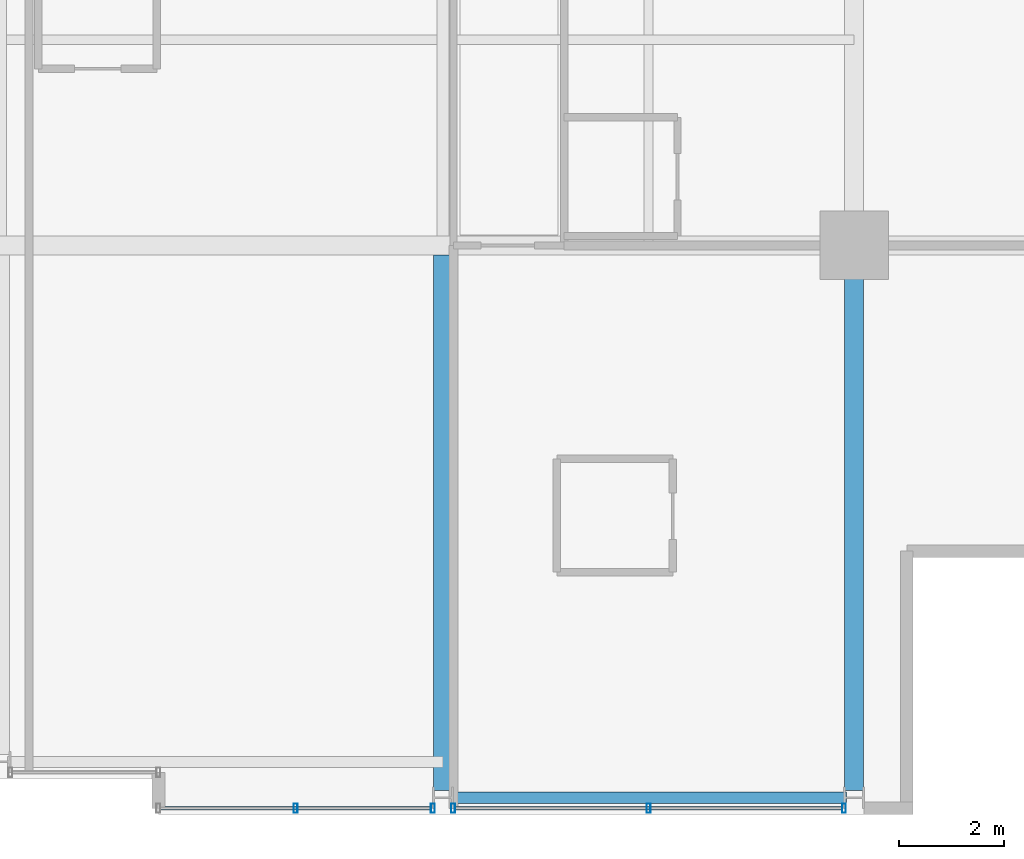
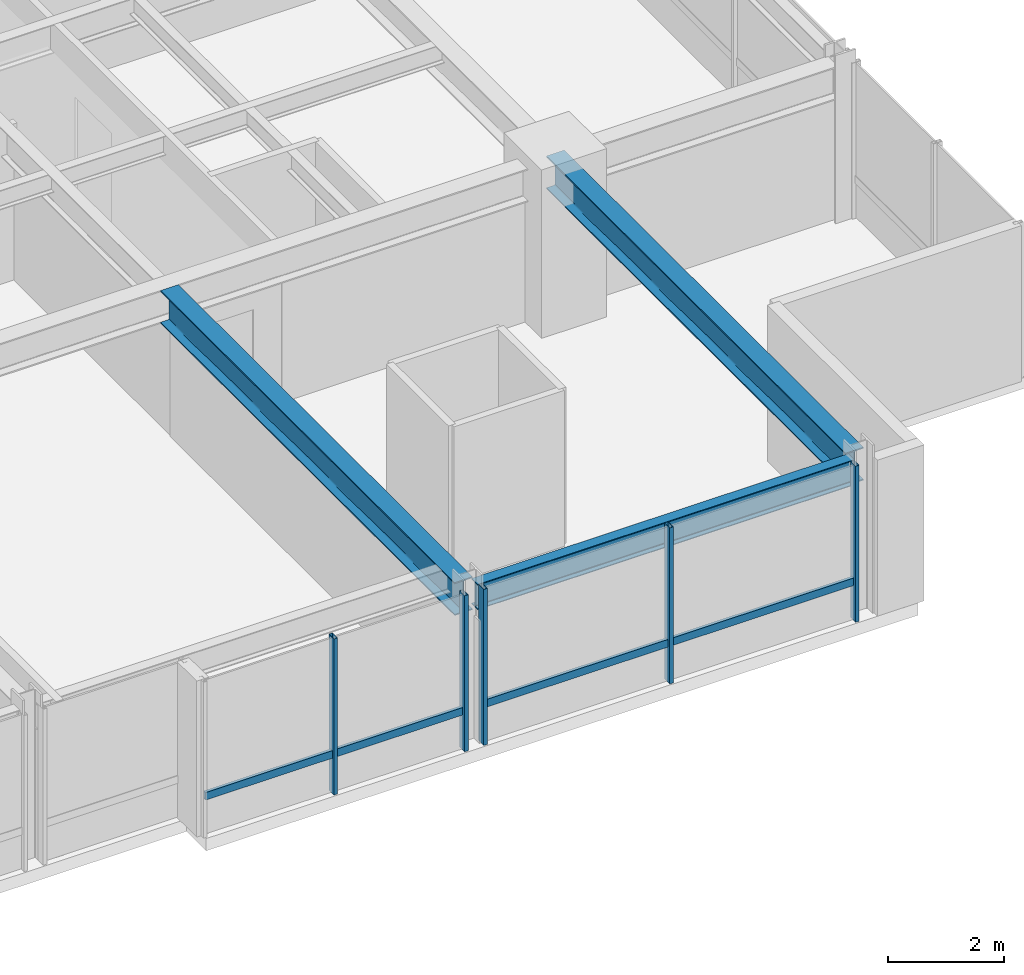
# One storey, part 11 of 31: 7 members, 3 beams, 2 elements without a shape of their own.
"""IFC4 building model written with IfcOpenShell, lengths in metres."""

from ifc_helpers import new_model, si_unit, direction, frame, origin, origin_2d, place, context, subcontext, project, spatial, hollow_rectangle, i_section, extrude, material, layer, layer_set, material_profile, profile_set, type_object, element, aggregate, save


model = new_model("IFC4")

# Units and contexts
model_context = context("Model", 3, precision=1e-05, world=origin(), true_north=direction((0.0, 1.0)))
body_context = subcontext(model_context, "Body", "Model", "MODEL_VIEW")
ifc_project = project(units=[si_unit("LENGTHUNIT", "METRE"), si_unit("AREAUNIT", "SQUARE_METRE"), si_unit("VOLUMEUNIT", "CUBIC_METRE"), si_unit("PLANEANGLEUNIT", "RADIAN"), si_unit("MASSUNIT", "GRAM", prefix="KILO")], contexts=[model_context])

# Site, building, storey
site_placement = place(None, origin())
site = spatial("IfcSite", under=ifc_project, at=site_placement, CompositionType="ELEMENT")
building_placement = place(site_placement, origin())
building = spatial("IfcBuilding", under=site, at=building_placement, Name="Drelvath Grand Hotel", CompositionType="ELEMENT")
storey_placement = place(building_placement, frame((0.0, 0.0, 185.89990234375)))
storey = spatial("IfcBuildingStorey", under=building, at=storey_placement, Name="L48", CompositionType="ELEMENT", Elevation=185.89990234375)

# Curtain wall, member
ifc_material_1 = material(Name="Brushed Pale-Silver Anodised Aluminium Frame", Category="aluminium")
ifc_layer = layer(ifc_material_1, 0.199951171875)
ifc_layer_set = layer_set([ifc_layer], Name="Brushed Pale-Silver Anodised Aluminium Frame")
curtain_wall_type = type_object("IfcCurtainWallType", Name="Stick Curtain Wall CW-04 Brushed Silver Upper-Mid", PredefinedType="NOTDEFINED", material=ifc_layer_set)
curtain_wall_1_placement = place(storey_placement, origin())
curtain_wall_1 = element("IfcCurtainWall", 1, at=curtain_wall_1_placement, inside=storey, type_object=curtain_wall_type, Name="L48 CW-04 Curtain Wall CW04-L48-SE1", PredefinedType="NOTDEFINED")
ifc_material_profile_1 = material_profile(ifc_material_1, hollow_rectangle(XDim=0.06494140625, YDim=0.159912109375, WallThickness=0.00390625, at=origin_2d()), Name="HSS160X65X4")
ifc_profile_set_1 = profile_set([ifc_material_profile_1], Name="Brushed Pale-Silver Anodised Aluminium Frame")
member_type_1 = type_object("IfcMemberType", Name="Curtain Wall Horizontal Transom CW-04 HSS160X65X4", PredefinedType="USERDEFINED", material=ifc_profile_set_1)
member_1_placement = place(storey_placement, frame((8.168212890625, 0.1201171875, 0.822509765625), z_axis=(-1.0, 0.0, 0.0), x_axis=(0.0, -1.0, 0.0)))
member_1 = element("IfcMember", 2, at=member_1_placement, type_object=member_type_1, Name="CW04-L48-SE1 Sill Transom", ObjectType="TRANSOM", PredefinedType="USERDEFINED", context=body_context, shape_type="SweptSolid", body=[
    extrude(hollow_rectangle(XDim=0.06494140625, YDim=0.159912109375, WallThickness=0.00390625, at=origin_2d()), origin(), (0.0, 0.0, 1.0), 5.128173828125),
])

curtain_wall_2_placement = place(storey_placement, origin())
curtain_wall_2 = element("IfcCurtainWall", 3, at=curtain_wall_2_placement, inside=storey, type_object=curtain_wall_type, Name="L48 CW-04 Curtain Wall CW04-L48-SE2", PredefinedType="NOTDEFINED")
member_2_placement = place(storey_placement, frame((15.968505859375, 0.1201171875, 0.822509765625), z_axis=(-1.0, 0.0, 0.0), x_axis=(0.0, -1.0, 0.0)))
member_2 = element("IfcMember", 4, at=member_2_placement, type_object=member_type_1, Name="CW04-L48-SE2 Sill Transom", ObjectType="TRANSOM", PredefinedType="USERDEFINED", context=body_context, shape_type="SweptSolid", body=[
    extrude(hollow_rectangle(XDim=0.06494140625, YDim=0.159912109375, WallThickness=0.00390625, at=origin_2d()), origin(), (0.0, 0.0, 1.0), 7.3369140625),
])

# Member
ifc_material_profile_2 = material_profile(ifc_material_1, hollow_rectangle(XDim=0.074951171875, YDim=0.179931640625, WallThickness=0.0048828125, at=origin_2d()), Name="HSS180X75X5")
ifc_profile_set_2 = profile_set([ifc_material_profile_2], Name="Brushed Pale-Silver Anodised Aluminium Frame")
member_type_2 = type_object("IfcMemberType", Name="Curtain Wall Vertical Mullion CW-04 HSS180X75X5", PredefinedType="MULLION", material=ifc_profile_set_2)
member_3_placement = place(storey_placement, frame((8.208251953125, 0.1201171875, 0.0), z_axis=(0.0, 0.0, 1.0), x_axis=(1.0, 0.0, 0.0)))
member_3 = element("IfcMember", 5, at=member_3_placement, type_object=member_type_2, Name="CW04-L48-SE1 Mullion 1", PredefinedType="MULLION", context=body_context, shape_type="SweptSolid", body=[
    extrude(hollow_rectangle(XDim=0.074951171875, YDim=0.179931640625, WallThickness=0.0048828125, at=origin_2d()), origin(), (0.0, 0.0, 1.0), 3.2900390625),
])

member_4_placement = place(storey_placement, frame((5.60400390625, 0.1201171875, 0.0), z_axis=(0.0, 0.0, 1.0), x_axis=(1.0, 0.0, 0.0)))
member_4 = element("IfcMember", 6, at=member_4_placement, type_object=member_type_2, Name="CW04-L48-SE1 Mullion 2", PredefinedType="MULLION", context=body_context, shape_type="SweptSolid", body=[
    extrude(hollow_rectangle(XDim=0.074951171875, YDim=0.179931640625, WallThickness=0.0048828125, at=origin_2d()), origin(), (0.0, 0.0, 1.0), 3.2900390625),
])

aggregate(curtain_wall_1, [member_3, member_4, member_1])

member_5_placement = place(storey_placement, frame((16.00830078125, 0.1201171875, 0.0), z_axis=(0.0, 0.0, 1.0), x_axis=(1.0, 0.0, 0.0)))
member_5 = element("IfcMember", 7, at=member_5_placement, type_object=member_type_2, Name="CW04-L48-SE2 Mullion 1", PredefinedType="MULLION", context=body_context, shape_type="SweptSolid", body=[
    extrude(hollow_rectangle(XDim=0.074951171875, YDim=0.179931640625, WallThickness=0.0048828125, at=origin_2d()), origin(), (0.0, 0.0, 1.0), 3.2900390625),
])

member_6_placement = place(storey_placement, frame((12.300048828125, 0.1201171875, 0.0), z_axis=(0.0, 0.0, 1.0), x_axis=(1.0, 0.0, 0.0)))
member_6 = element("IfcMember", 8, at=member_6_placement, type_object=member_type_2, Name="CW04-L48-SE2 Mullion 2", PredefinedType="MULLION", context=body_context, shape_type="SweptSolid", body=[
    extrude(hollow_rectangle(XDim=0.074951171875, YDim=0.179931640625, WallThickness=0.0048828125, at=origin_2d()), origin(), (0.0, 0.0, 1.0), 3.2900390625),
])

member_7_placement = place(storey_placement, frame((8.591796875, 0.1201171875, 0.0), z_axis=(0.0, 0.0, 1.0), x_axis=(1.0, 0.0, 0.0)))
member_7 = element("IfcMember", 9, at=member_7_placement, type_object=member_type_2, Name="CW04-L48-SE2 Mullion 3", PredefinedType="MULLION", context=body_context, shape_type="SweptSolid", body=[
    extrude(hollow_rectangle(XDim=0.074951171875, YDim=0.179931640625, WallThickness=0.0048828125, at=origin_2d()), origin(), (0.0, 0.0, 1.0), 3.2900390625),
])

aggregate(curtain_wall_2, [member_5, member_6, member_7, member_2])

# Beams
ifc_material_2 = material(Name="Steel ASTM A992 Gr 50", Category="steel")
ifc_material_profile_3 = material_profile(ifc_material_2, i_section(OverallWidth=0.210205078125, OverallDepth=0.53662109375, WebThickness=0.010986328125, FlangeThickness=0.017333984375, FilletRadius=0.01806640625, at=origin_2d()), Name="W21X68")
ifc_profile_set_3 = profile_set([ifc_material_profile_3], Name="Steel ASTM A992 Gr 50")
beam_type_1 = type_object("IfcBeamType", Name="Perimeter Spandrel Beam W21X68", PredefinedType="SPANDREL", material=ifc_profile_set_3)
beam_1_placement = place(storey_placement, frame((8.5400390625, 0.320068359375, 3.021728515625), z_axis=(1.0, 0.0, 0.0), x_axis=(0.0, 1.0, 0.0)))
element("IfcBeam", 10, at=beam_1_placement, inside=storey, type_object=beam_type_1, Name="L48 Spandrel South E", PredefinedType="SPANDREL", context=body_context, shape_type="SweptSolid", body=[
    extrude(i_section(OverallWidth=0.210205078125, OverallDepth=0.53662109375, WebThickness=0.010986328125, FlangeThickness=0.017333984375, FilletRadius=0.01806640625, at=origin_2d()), origin(), (0.0, 0.0, 1.0), 7.52001953125),
])
ifc_material_profile_4 = material_profile(ifc_material_2, i_section(OverallWidth=0.354736328125, OverallDepth=0.695556640625, WebThickness=0.015380859375, FlangeThickness=0.025146484375, FilletRadius=0.02392578125, at=origin_2d()), Name="W27X146")
ifc_profile_set_4 = profile_set([ifc_material_profile_4], Name="Steel ASTM A992 Gr 50")
beam_type_2 = type_object("IfcBeamType", Name="Primary Floor Girder W27X146", PredefinedType="BEAM", material=ifc_profile_set_4)
beam_2_placement = place(storey_placement, frame((16.199951171875, 0.4599609375, 2.9423828125), z_axis=(0.0, 1.0, 0.0), x_axis=(-1.0, 0.0, 0.0)))
element("IfcBeam", 11, at=beam_2_placement, inside=storey, type_object=beam_type_2, Name="L48 South Grid Girder 7", PredefinedType="BEAM", context=body_context, shape_type="SweptSolid", body=[
    extrude(i_section(OverallWidth=0.354736328125, OverallDepth=0.695556640625, WebThickness=0.015380859375, FlangeThickness=0.025146484375, FilletRadius=0.02392578125, at=origin_2d()), origin(), (0.0, 0.0, 1.0), 10.340087890625),
])
beam_3_placement = place(storey_placement, frame((8.39990234375, 0.4599609375, 2.9423828125), z_axis=(0.0, 1.0, 0.0), x_axis=(-1.0, 0.0, 0.0)))
element("IfcBeam", 12, at=beam_3_placement, inside=storey, type_object=beam_type_2, Name="L48 South Wing Girder 6", PredefinedType="BEAM", context=body_context, shape_type="SweptSolid", body=[
    extrude(i_section(OverallWidth=0.354736328125, OverallDepth=0.695556640625, WebThickness=0.015380859375, FlangeThickness=0.025146484375, FilletRadius=0.02392578125, at=origin_2d()), origin(), (0.0, 0.0, 1.0), 10.16259765625),
])

save(model, "model.ifc")
